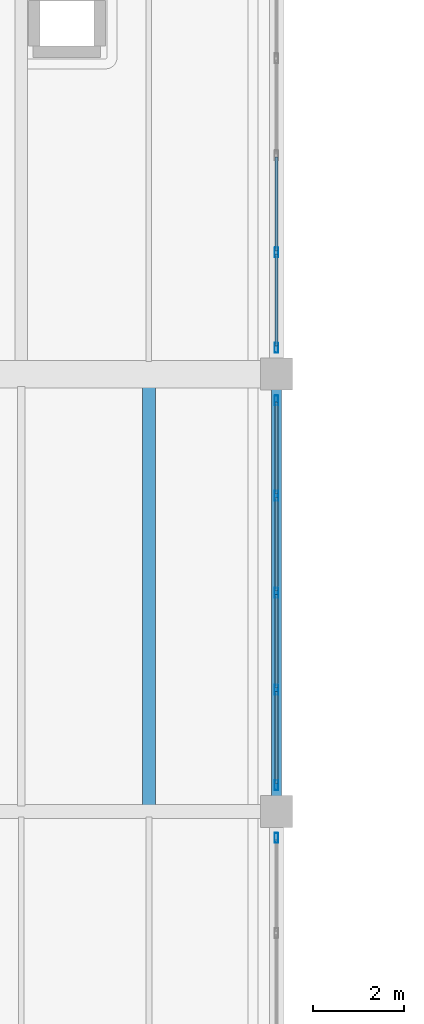
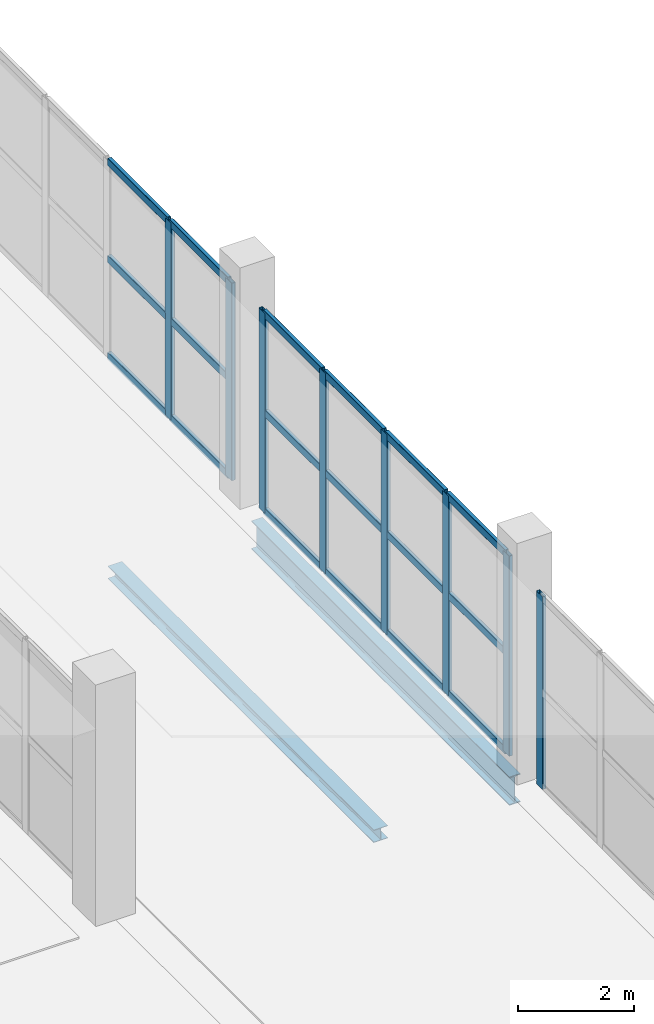
# One storey, part 13 of 66: 26 members, 2 beams, 3 elements without a shape of their own.
"""IFC4 building model written with IfcOpenShell, lengths in metres."""

from ifc_helpers import new_model, si_unit, direction, frame, origin, origin_2d, place, context, subcontext, project, spatial, hollow_rectangle, i_section, extrude, material, layer, layer_set, material_profile, profile_set, type_object, element, aggregate, save


model = new_model("IFC4")

# Units and contexts
model_context = context("Model", 3, precision=1e-05, world=origin(), true_north=direction((0.0, 1.0)))
body_context = subcontext(model_context, "Body", "Model", "MODEL_VIEW")
ifc_project = project(units=[si_unit("LENGTHUNIT", "METRE"), si_unit("AREAUNIT", "SQUARE_METRE"), si_unit("VOLUMEUNIT", "CUBIC_METRE"), si_unit("PLANEANGLEUNIT", "RADIAN"), si_unit("MASSUNIT", "GRAM", prefix="KILO")], contexts=[model_context])

# Site, building, storey
site_placement = place(None, origin())
site = spatial("IfcSite", under=ifc_project, at=site_placement, CompositionType="ELEMENT")
building_placement = place(site_placement, origin())
building = spatial("IfcBuilding", under=site, at=building_placement, Name="Zulmaris Art Gallery", CompositionType="ELEMENT")
storey_placement = place(building_placement, frame((0.0, 0.0, 5.39990234375)))
storey = spatial("IfcBuildingStorey", under=building, at=storey_placement, Name="L01", CompositionType="ELEMENT", Elevation=5.39990234375)

# Beams
ifc_material_1 = material(Name="Steel S355J2", Category="steel")
ifc_material_profile_1 = material_profile(ifc_material_1, i_section(OverallWidth=0.219970703125, OverallDepth=0.60009765625, WebThickness=0.011962890625, FlangeThickness=0.01904296875, FilletRadius=0.02392578125, at=origin_2d()), Name="IPE 600")
ifc_profile_set_1 = profile_set([ifc_material_profile_1], Name="Steel S355J2")
beam_type_1 = type_object("IfcBeamType", Name="BEAM-BM07", PredefinedType="BEAM", material=ifc_profile_set_1)
beam_1_placement = place(storey_placement, frame((91.199951171875, 31.534912109375, -0.6298828125), z_axis=(0.0, 1.0, 0.0), x_axis=(-1.0, 0.0, 0.0)))
element("IfcBeam", 1, at=beam_1_placement, inside=storey, type_object=beam_type_1, Name="L01 Y-girder (x=91.2, 31.2..40.8)", PredefinedType="BEAM", context=body_context, shape_type="SweptSolid", body=[
    extrude(i_section(OverallWidth=0.219970703125, OverallDepth=0.60009765625, WebThickness=0.011962890625, FlangeThickness=0.01904296875, FilletRadius=0.02392578125, at=origin_2d()), origin(), (0.0, 0.0, 1.0), 8.93017578125),
])
ifc_material_profile_2 = material_profile(ifc_material_1, i_section(OverallWidth=0.280029296875, OverallDepth=0.27001953125, WebThickness=0.008056640625, FlangeThickness=0.012939453125, FilletRadius=0.02392578125, at=origin_2d()), Name="HEA 280")
ifc_profile_set_2 = profile_set([ifc_material_profile_2], Name="Steel S355J2")
beam_type_2 = type_object("IfcBeamType", Name="BEAM-JS04", PredefinedType="JOIST", material=ifc_profile_set_2)
beam_2_placement = place(storey_placement, frame((88.39990234375, 31.324951171875, -0.46484375), z_axis=(0.0, 1.0, 0.0), x_axis=(-1.0, 0.0, 0.0)))
element("IfcBeam", 2, at=beam_2_placement, inside=storey, type_object=beam_type_2, Name="L01 secondary joist at x=88.4", PredefinedType="JOIST", context=body_context, shape_type="SweptSolid", body=[
    extrude(i_section(OverallWidth=0.280029296875, OverallDepth=0.27001953125, WebThickness=0.008056640625, FlangeThickness=0.012939453125, FilletRadius=0.02392578125, at=origin_2d()), origin(), (0.0, 0.0, 1.0), 9.199951171875),
])

# Curtain wall, member
ifc_material_2 = material(Name="Cloister & Court Glazed Curtain Wall", Category="aluminium")
ifc_layer = layer(ifc_material_2, 0.179931640625)
ifc_layer_set = layer_set([ifc_layer], Name="Cloister & Court Glazed Curtain Wall")
curtain_wall_type = type_object("IfcCurtainWallType", Name="CW-CW03", PredefinedType="NOTDEFINED", material=ifc_layer_set)
curtain_wall_1_placement = place(storey_placement, origin())
curtain_wall_1 = element("IfcCurtainWall", 3, at=curtain_wall_1_placement, inside=storey, type_object=curtain_wall_type, Name="L01 curtain wall 71", PredefinedType="NOTDEFINED")
ifc_material_3 = material(Name="Anodised Bronze Aluminium", Category="aluminium")
ifc_material_profile_3 = material_profile(ifc_material_3, hollow_rectangle(XDim=0.074951171875, YDim=0.219970703125, WallThickness=0.0048828125, InnerFilletRadius=0.007568359375, OuterFilletRadius=0.012451171875, at=origin_2d()), Name="ALU 75x220x5")
ifc_profile_set_3 = profile_set([ifc_material_profile_3], Name="Anodised Bronze Aluminium")
member_type_1 = type_object("IfcMemberType", Name="CWMUL-02", PredefinedType="MULLION", material=ifc_profile_set_3)
member_1_placement = place(storey_placement, frame((91.199951171875, 30.62255859375, 0.0), z_axis=(0.0, 0.0, 1.0), x_axis=(1.0, 0.0, 0.0)))
member_1 = element("IfcMember", 4, at=member_1_placement, type_object=member_type_1, Name="CW03 mullion 1", PredefinedType="MULLION", context=body_context, shape_type="SweptSolid", body=[
    extrude(hollow_rectangle(XDim=0.074951171875, YDim=0.219970703125, WallThickness=0.0048828125, InnerFilletRadius=0.007568359375, OuterFilletRadius=0.012451171875, at=origin_2d()), origin(), (0.0, 0.0, 1.0), 4.070068359375),
])
aggregate(curtain_wall_1, [member_1])

# Curtain wall, members
curtain_wall_2_placement = place(storey_placement, origin())
curtain_wall_2 = element("IfcCurtainWall", 5, at=curtain_wall_2_placement, inside=storey, type_object=curtain_wall_type, Name="L01 curtain wall 73", PredefinedType="NOTDEFINED")
member_2_placement = place(storey_placement, frame((91.199951171875, 40.222412109375, 0.0), z_axis=(0.0, 0.0, 1.0), x_axis=(1.0, 0.0, 0.0)))
member_2 = element("IfcMember", 6, at=member_2_placement, type_object=member_type_1, Name="CW03 mullion 1", PredefinedType="MULLION", context=body_context, shape_type="SweptSolid", body=[
    extrude(hollow_rectangle(XDim=0.074951171875, YDim=0.219970703125, WallThickness=0.0048828125, InnerFilletRadius=0.007568359375, OuterFilletRadius=0.012451171875, at=origin_2d()), origin(), (0.0, 0.0, 1.0), 4.22998046875),
])
member_3_placement = place(storey_placement, frame((91.199951171875, 38.1298828125, 0.0), z_axis=(0.0, 0.0, 1.0), x_axis=(1.0, 0.0, 0.0)))
member_3 = element("IfcMember", 7, at=member_3_placement, type_object=member_type_1, Name="CW03 mullion 2", PredefinedType="MULLION", context=body_context, shape_type="SweptSolid", body=[
    extrude(hollow_rectangle(XDim=0.074951171875, YDim=0.219970703125, WallThickness=0.0048828125, InnerFilletRadius=0.007568359375, OuterFilletRadius=0.012451171875, at=origin_2d()), origin(), (0.0, 0.0, 1.0), 4.22998046875),
])
member_4_placement = place(storey_placement, frame((91.199951171875, 36.0, 0.0), z_axis=(0.0, 0.0, 1.0), x_axis=(1.0, 0.0, 0.0)))
member_4 = element("IfcMember", 8, at=member_4_placement, type_object=member_type_1, Name="CW03 mullion 3", PredefinedType="MULLION", context=body_context, shape_type="SweptSolid", body=[
    extrude(hollow_rectangle(XDim=0.074951171875, YDim=0.219970703125, WallThickness=0.0048828125, InnerFilletRadius=0.007568359375, OuterFilletRadius=0.012451171875, at=origin_2d()), origin(), (0.0, 0.0, 1.0), 4.22998046875),
])
member_5_placement = place(storey_placement, frame((91.199951171875, 33.8701171875, 0.0), z_axis=(0.0, 0.0, 1.0), x_axis=(1.0, 0.0, 0.0)))
member_5 = element("IfcMember", 9, at=member_5_placement, type_object=member_type_1, Name="CW03 mullion 4", PredefinedType="MULLION", context=body_context, shape_type="SweptSolid", body=[
    extrude(hollow_rectangle(XDim=0.074951171875, YDim=0.219970703125, WallThickness=0.0048828125, InnerFilletRadius=0.007568359375, OuterFilletRadius=0.012451171875, at=origin_2d()), origin(), (0.0, 0.0, 1.0), 4.22998046875),
])
member_6_placement = place(storey_placement, frame((91.199951171875, 31.777587890625, 0.0), z_axis=(0.0, 0.0, 1.0), x_axis=(1.0, 0.0, 0.0)))
member_6 = element("IfcMember", 10, at=member_6_placement, type_object=member_type_1, Name="CW03 mullion 5", PredefinedType="MULLION", context=body_context, shape_type="SweptSolid", body=[
    extrude(hollow_rectangle(XDim=0.074951171875, YDim=0.219970703125, WallThickness=0.0048828125, InnerFilletRadius=0.007568359375, OuterFilletRadius=0.012451171875, at=origin_2d()), origin(), (0.0, 0.0, 1.0), 4.22998046875),
])

curtain_wall_3_placement = place(storey_placement, origin())
curtain_wall_3 = element("IfcCurtainWall", 11, at=curtain_wall_3_placement, inside=storey, type_object=curtain_wall_type, Name="L01 curtain wall 75", PredefinedType="NOTDEFINED")
member_7_placement = place(storey_placement, frame((91.199951171875, 43.469970703125, 0.0), z_axis=(0.0, 0.0, 1.0), x_axis=(1.0, 0.0, 0.0)))
member_7 = element("IfcMember", 12, at=member_7_placement, type_object=member_type_1, Name="CW03 mullion 4", PredefinedType="MULLION", context=body_context, shape_type="SweptSolid", body=[
    extrude(hollow_rectangle(XDim=0.074951171875, YDim=0.219970703125, WallThickness=0.0048828125, InnerFilletRadius=0.007568359375, OuterFilletRadius=0.012451171875, at=origin_2d()), origin(), (0.0, 0.0, 1.0), 4.170166015625),
])
member_8_placement = place(storey_placement, frame((91.199951171875, 41.37744140625, 0.0), z_axis=(0.0, 0.0, 1.0), x_axis=(1.0, 0.0, 0.0)))
member_8 = element("IfcMember", 13, at=member_8_placement, type_object=member_type_1, Name="CW03 mullion 5", PredefinedType="MULLION", context=body_context, shape_type="SweptSolid", body=[
    extrude(hollow_rectangle(XDim=0.074951171875, YDim=0.219970703125, WallThickness=0.0048828125, InnerFilletRadius=0.007568359375, OuterFilletRadius=0.012451171875, at=origin_2d()), origin(), (0.0, 0.0, 1.0), 4.170166015625),
])

# Member
ifc_material_profile_4 = material_profile(ifc_material_3, hollow_rectangle(XDim=0.074951171875, YDim=0.159912109375, WallThickness=0.00390625, InnerFilletRadius=0.006103515625, OuterFilletRadius=0.010009765625, at=origin_2d()), Name="ALU 75x160x4")
ifc_profile_set_4 = profile_set([ifc_material_profile_4], Name="Anodised Bronze Aluminium")
member_type_2 = type_object("IfcMemberType", Name="CWTRN-02", PredefinedType="USERDEFINED", material=ifc_profile_set_4)
member_9_placement = place(storey_placement, frame((91.199951171875, 40.18505859375, 0.03759765625), z_axis=(0.0, -1.0, 0.0), x_axis=(1.0, 0.0, 0.0)))
member_9 = element("IfcMember", 14, at=member_9_placement, type_object=member_type_2, Name="CW03 transom 1.1", ObjectType="TRANSOM", PredefinedType="USERDEFINED", context=body_context, shape_type="SweptSolid", body=[
    extrude(hollow_rectangle(XDim=0.074951171875, YDim=0.159912109375, WallThickness=0.00390625, InnerFilletRadius=0.006103515625, OuterFilletRadius=0.010009765625, at=origin_2d()), origin(), (0.0, 0.0, 1.0), 2.017578125),
])

member_10_placement = place(storey_placement, frame((91.199951171875, 40.18505859375, 2.114990234375), z_axis=(0.0, -1.0, 0.0), x_axis=(1.0, 0.0, 0.0)))
member_10 = element("IfcMember", 15, at=member_10_placement, type_object=member_type_2, Name="CW03 transom 1.2", ObjectType="TRANSOM", PredefinedType="USERDEFINED", context=body_context, shape_type="SweptSolid", body=[
    extrude(hollow_rectangle(XDim=0.074951171875, YDim=0.159912109375, WallThickness=0.00390625, InnerFilletRadius=0.006103515625, OuterFilletRadius=0.010009765625, at=origin_2d()), origin(), (0.0, 0.0, 1.0), 2.017578125),
])

member_11_placement = place(storey_placement, frame((91.199951171875, 40.18505859375, 4.192626953125), z_axis=(0.0, -1.0, 0.0), x_axis=(1.0, 0.0, 0.0)))
member_11 = element("IfcMember", 16, at=member_11_placement, type_object=member_type_2, Name="CW03 transom 1.3", ObjectType="TRANSOM", PredefinedType="USERDEFINED", context=body_context, shape_type="SweptSolid", body=[
    extrude(hollow_rectangle(XDim=0.074951171875, YDim=0.159912109375, WallThickness=0.00390625, InnerFilletRadius=0.006103515625, OuterFilletRadius=0.010009765625, at=origin_2d()), origin(), (0.0, 0.0, 1.0), 2.017578125),
])

member_12_placement = place(storey_placement, frame((91.199951171875, 38.092529296875, 0.03759765625), z_axis=(0.0, -1.0, 0.0), x_axis=(1.0, 0.0, 0.0)))
member_12 = element("IfcMember", 17, at=member_12_placement, type_object=member_type_2, Name="CW03 transom 2.1", ObjectType="TRANSOM", PredefinedType="USERDEFINED", context=body_context, shape_type="SweptSolid", body=[
    extrude(hollow_rectangle(XDim=0.074951171875, YDim=0.159912109375, WallThickness=0.00390625, InnerFilletRadius=0.006103515625, OuterFilletRadius=0.010009765625, at=origin_2d()), origin(), (0.0, 0.0, 1.0), 2.054931640625),
])

member_13_placement = place(storey_placement, frame((91.199951171875, 38.092529296875, 2.114990234375), z_axis=(0.0, -1.0, 0.0), x_axis=(1.0, 0.0, 0.0)))
member_13 = element("IfcMember", 18, at=member_13_placement, type_object=member_type_2, Name="CW03 transom 2.2", ObjectType="TRANSOM", PredefinedType="USERDEFINED", context=body_context, shape_type="SweptSolid", body=[
    extrude(hollow_rectangle(XDim=0.074951171875, YDim=0.159912109375, WallThickness=0.00390625, InnerFilletRadius=0.006103515625, OuterFilletRadius=0.010009765625, at=origin_2d()), origin(), (0.0, 0.0, 1.0), 2.054931640625),
])

member_14_placement = place(storey_placement, frame((91.199951171875, 38.092529296875, 4.192626953125), z_axis=(0.0, -1.0, 0.0), x_axis=(1.0, 0.0, 0.0)))
member_14 = element("IfcMember", 19, at=member_14_placement, type_object=member_type_2, Name="CW03 transom 2.3", ObjectType="TRANSOM", PredefinedType="USERDEFINED", context=body_context, shape_type="SweptSolid", body=[
    extrude(hollow_rectangle(XDim=0.074951171875, YDim=0.159912109375, WallThickness=0.00390625, InnerFilletRadius=0.006103515625, OuterFilletRadius=0.010009765625, at=origin_2d()), origin(), (0.0, 0.0, 1.0), 2.054931640625),
])

member_15_placement = place(storey_placement, frame((91.199951171875, 35.96240234375, 0.03759765625), z_axis=(0.0, -1.0, 0.0), x_axis=(1.0, 0.0, 0.0)))
member_15 = element("IfcMember", 20, at=member_15_placement, type_object=member_type_2, Name="CW03 transom 3.1", ObjectType="TRANSOM", PredefinedType="USERDEFINED", context=body_context, shape_type="SweptSolid", body=[
    extrude(hollow_rectangle(XDim=0.074951171875, YDim=0.159912109375, WallThickness=0.00390625, InnerFilletRadius=0.006103515625, OuterFilletRadius=0.010009765625, at=origin_2d()), origin(), (0.0, 0.0, 1.0), 2.054931640625),
])

member_16_placement = place(storey_placement, frame((91.199951171875, 35.96240234375, 2.114990234375), z_axis=(0.0, -1.0, 0.0), x_axis=(1.0, 0.0, 0.0)))
member_16 = element("IfcMember", 21, at=member_16_placement, type_object=member_type_2, Name="CW03 transom 3.2", ObjectType="TRANSOM", PredefinedType="USERDEFINED", context=body_context, shape_type="SweptSolid", body=[
    extrude(hollow_rectangle(XDim=0.074951171875, YDim=0.159912109375, WallThickness=0.00390625, InnerFilletRadius=0.006103515625, OuterFilletRadius=0.010009765625, at=origin_2d()), origin(), (0.0, 0.0, 1.0), 2.054931640625),
])

member_17_placement = place(storey_placement, frame((91.199951171875, 35.96240234375, 4.192626953125), z_axis=(0.0, -1.0, 0.0), x_axis=(1.0, 0.0, 0.0)))
member_17 = element("IfcMember", 22, at=member_17_placement, type_object=member_type_2, Name="CW03 transom 3.3", ObjectType="TRANSOM", PredefinedType="USERDEFINED", context=body_context, shape_type="SweptSolid", body=[
    extrude(hollow_rectangle(XDim=0.074951171875, YDim=0.159912109375, WallThickness=0.00390625, InnerFilletRadius=0.006103515625, OuterFilletRadius=0.010009765625, at=origin_2d()), origin(), (0.0, 0.0, 1.0), 2.054931640625),
])

member_18_placement = place(storey_placement, frame((91.199951171875, 33.83251953125, 0.03759765625), z_axis=(0.0, -1.0, 0.0), x_axis=(1.0, 0.0, 0.0)))
member_18 = element("IfcMember", 23, at=member_18_placement, type_object=member_type_2, Name="CW03 transom 4.1", ObjectType="TRANSOM", PredefinedType="USERDEFINED", context=body_context, shape_type="SweptSolid", body=[
    extrude(hollow_rectangle(XDim=0.074951171875, YDim=0.159912109375, WallThickness=0.00390625, InnerFilletRadius=0.006103515625, OuterFilletRadius=0.010009765625, at=origin_2d()), origin(), (0.0, 0.0, 1.0), 2.017578125),
])

member_19_placement = place(storey_placement, frame((91.199951171875, 33.83251953125, 2.114990234375), z_axis=(0.0, -1.0, 0.0), x_axis=(1.0, 0.0, 0.0)))
member_19 = element("IfcMember", 24, at=member_19_placement, type_object=member_type_2, Name="CW03 transom 4.2", ObjectType="TRANSOM", PredefinedType="USERDEFINED", context=body_context, shape_type="SweptSolid", body=[
    extrude(hollow_rectangle(XDim=0.074951171875, YDim=0.159912109375, WallThickness=0.00390625, InnerFilletRadius=0.006103515625, OuterFilletRadius=0.010009765625, at=origin_2d()), origin(), (0.0, 0.0, 1.0), 2.017578125),
])

member_20_placement = place(storey_placement, frame((91.199951171875, 33.83251953125, 4.192626953125), z_axis=(0.0, -1.0, 0.0), x_axis=(1.0, 0.0, 0.0)))
member_20 = element("IfcMember", 25, at=member_20_placement, type_object=member_type_2, Name="CW03 transom 4.3", ObjectType="TRANSOM", PredefinedType="USERDEFINED", context=body_context, shape_type="SweptSolid", body=[
    extrude(hollow_rectangle(XDim=0.074951171875, YDim=0.159912109375, WallThickness=0.00390625, InnerFilletRadius=0.006103515625, OuterFilletRadius=0.010009765625, at=origin_2d()), origin(), (0.0, 0.0, 1.0), 2.017578125),
])

aggregate(curtain_wall_2, [member_2, member_3, member_4, member_5, member_6, member_9, member_10, member_11, member_12, member_13, member_14, member_15, member_16, member_17, member_18, member_19, member_20])

member_21_placement = place(storey_placement, frame((91.199951171875, 45.5625, 0.03759765625), z_axis=(0.0, -1.0, 0.0), x_axis=(1.0, 0.0, 0.0)))
member_21 = element("IfcMember", 26, at=member_21_placement, type_object=member_type_2, Name="CW03 transom 3.1", ObjectType="TRANSOM", PredefinedType="USERDEFINED", context=body_context, shape_type="SweptSolid", body=[
    extrude(hollow_rectangle(XDim=0.074951171875, YDim=0.159912109375, WallThickness=0.00390625, InnerFilletRadius=0.006103515625, OuterFilletRadius=0.010009765625, at=origin_2d()), origin(), (0.0, 0.0, 1.0), 2.054931640625),
])

member_22_placement = place(storey_placement, frame((91.199951171875, 45.5625, 2.085205078125), z_axis=(0.0, -1.0, 0.0), x_axis=(1.0, 0.0, 0.0)))
member_22 = element("IfcMember", 27, at=member_22_placement, type_object=member_type_2, Name="CW03 transom 3.2", ObjectType="TRANSOM", PredefinedType="USERDEFINED", context=body_context, shape_type="SweptSolid", body=[
    extrude(hollow_rectangle(XDim=0.074951171875, YDim=0.159912109375, WallThickness=0.00390625, InnerFilletRadius=0.006103515625, OuterFilletRadius=0.010009765625, at=origin_2d()), origin(), (0.0, 0.0, 1.0), 2.054931640625),
])

member_23_placement = place(storey_placement, frame((91.199951171875, 45.5625, 4.132568359375), z_axis=(0.0, -1.0, 0.0), x_axis=(1.0, 0.0, 0.0)))
member_23 = element("IfcMember", 28, at=member_23_placement, type_object=member_type_2, Name="CW03 transom 3.3", ObjectType="TRANSOM", PredefinedType="USERDEFINED", context=body_context, shape_type="SweptSolid", body=[
    extrude(hollow_rectangle(XDim=0.074951171875, YDim=0.159912109375, WallThickness=0.00390625, InnerFilletRadius=0.006103515625, OuterFilletRadius=0.010009765625, at=origin_2d()), origin(), (0.0, 0.0, 1.0), 2.054931640625),
])

member_24_placement = place(storey_placement, frame((91.199951171875, 43.4326171875, 0.03759765625), z_axis=(0.0, -1.0, 0.0), x_axis=(1.0, 0.0, 0.0)))
member_24 = element("IfcMember", 29, at=member_24_placement, type_object=member_type_2, Name="CW03 transom 4.1", ObjectType="TRANSOM", PredefinedType="USERDEFINED", context=body_context, shape_type="SweptSolid", body=[
    extrude(hollow_rectangle(XDim=0.074951171875, YDim=0.159912109375, WallThickness=0.00390625, InnerFilletRadius=0.006103515625, OuterFilletRadius=0.010009765625, at=origin_2d()), origin(), (0.0, 0.0, 1.0), 2.017578125),
])

member_25_placement = place(storey_placement, frame((91.199951171875, 43.4326171875, 2.085205078125), z_axis=(0.0, -1.0, 0.0), x_axis=(1.0, 0.0, 0.0)))
member_25 = element("IfcMember", 30, at=member_25_placement, type_object=member_type_2, Name="CW03 transom 4.2", ObjectType="TRANSOM", PredefinedType="USERDEFINED", context=body_context, shape_type="SweptSolid", body=[
    extrude(hollow_rectangle(XDim=0.074951171875, YDim=0.159912109375, WallThickness=0.00390625, InnerFilletRadius=0.006103515625, OuterFilletRadius=0.010009765625, at=origin_2d()), origin(), (0.0, 0.0, 1.0), 2.017578125),
])

member_26_placement = place(storey_placement, frame((91.199951171875, 43.4326171875, 4.132568359375), z_axis=(0.0, -1.0, 0.0), x_axis=(1.0, 0.0, 0.0)))
member_26 = element("IfcMember", 31, at=member_26_placement, type_object=member_type_2, Name="CW03 transom 4.3", ObjectType="TRANSOM", PredefinedType="USERDEFINED", context=body_context, shape_type="SweptSolid", body=[
    extrude(hollow_rectangle(XDim=0.074951171875, YDim=0.159912109375, WallThickness=0.00390625, InnerFilletRadius=0.006103515625, OuterFilletRadius=0.010009765625, at=origin_2d()), origin(), (0.0, 0.0, 1.0), 2.017578125),
])

aggregate(curtain_wall_3, [member_7, member_8, member_21, member_22, member_23, member_24, member_25, member_26])

save(model, "model.ifc")
